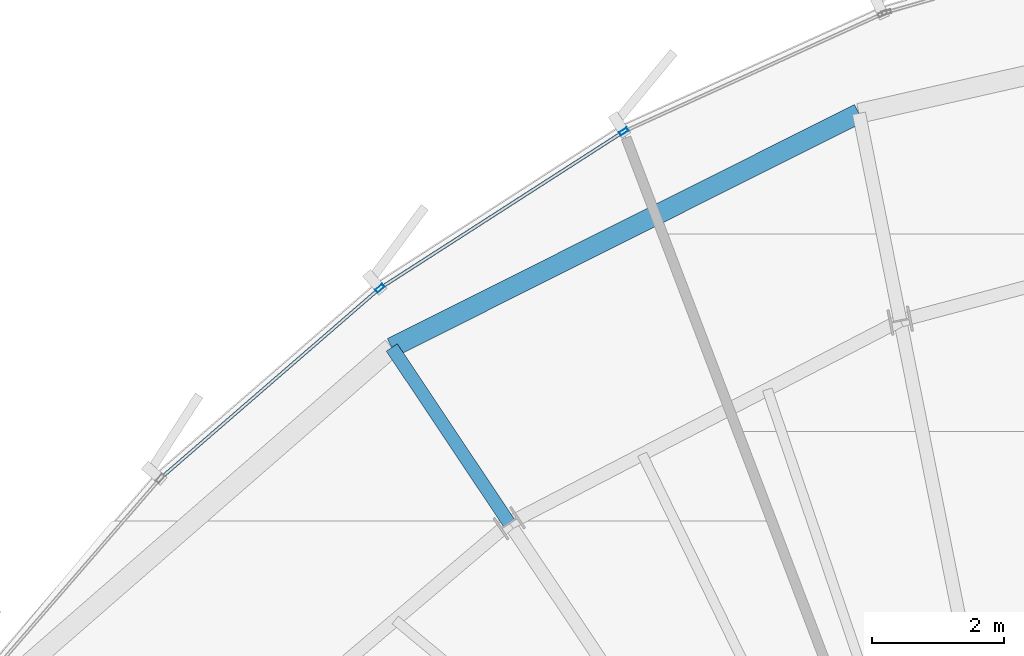
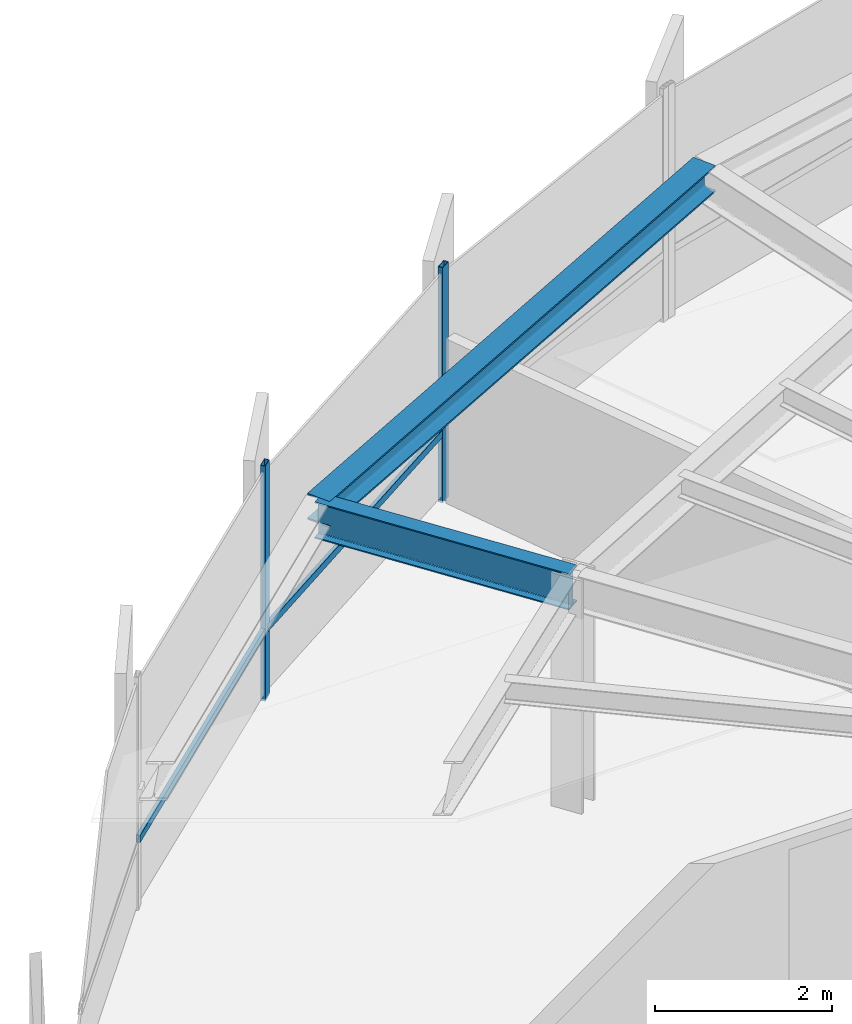
# One storey, part 20 of 34: 4 members, 2 beams, 1 element without a shape of its own.
"""IFC4 building model written with IfcOpenShell, lengths in metres."""

from ifc_helpers import new_model, si_unit, direction, frame, origin, origin_2d, place, context, subcontext, project, spatial, hollow_rectangle, i_section, extrude, source, transform, mapped, material, layer, layer_set, material_profile, profile_set, type_object, element, aggregate, save


model = new_model("IFC4")

# Units and contexts
model_context = context("Model", 3, precision=1e-05, world=origin(), true_north=direction((0.0, 1.0)))
body_context = subcontext(model_context, "Body", "Model", "MODEL_VIEW")
ifc_project = project(units=[si_unit("LENGTHUNIT", "METRE"), si_unit("AREAUNIT", "SQUARE_METRE"), si_unit("VOLUMEUNIT", "CUBIC_METRE"), si_unit("PLANEANGLEUNIT", "RADIAN"), si_unit("MASSUNIT", "GRAM", prefix="KILO"), si_unit("THERMODYNAMICTEMPERATUREUNIT", "KELVIN")], contexts=[model_context])

# Site, building, storey
site_placement = place(None, origin())
site = spatial("IfcSite", under=ifc_project, at=site_placement, CompositionType="ELEMENT")
building_placement = place(site_placement, origin())
building = spatial("IfcBuilding", under=site, at=building_placement, Name="Kethvar Cultural Tower", CompositionType="ELEMENT")
storey_placement = place(building_placement, frame((0.0, 0.0, 214.89990234375)))
storey = spatial("IfcBuildingStorey", under=building, at=storey_placement, Name="L56", CompositionType="ELEMENT", Elevation=214.89990234375)

# Beams
ifc_material_1 = material(Name="Steel S355J2", Category="steel")
ifc_material_profile_1 = material_profile(ifc_material_1, i_section(OverallWidth=0.199951171875, OverallDepth=0.5, WebThickness=0.01025390625, FlangeThickness=0.01611328125, FilletRadius=0.02099609375, at=origin_2d()), Name="Steel S355J2 — IPE500")
ifc_profile_set_1 = profile_set([ifc_material_profile_1], Name="Steel S355J2 — IPE500")
beam_type_1 = type_object("IfcBeamType", Name="BM-IPE500", PredefinedType="BEAM", material=ifc_profile_set_1)
shared_shape_1 = source(origin(), body_context, "Body", "SweptSolid", [
    extrude(i_section(OverallWidth=0.199951171875, OverallDepth=0.5, WebThickness=0.01025390625, FlangeThickness=0.01611328125, FilletRadius=0.02099609375, at=origin_2d()), origin(), (0.0, 0.0, 1.0), 3.199951171875),
])
beam_1_placement = place(storey_placement, frame((37.498779296875, 41.720458984375, 2.988037109375), z_axis=(-0.555580212716, 0.831462943996, 0.0), x_axis=(-0.831462943996, -0.555580212716, 0.0)))
element("IfcBeam", 1, at=beam_1_placement, inside=storey, type_object=beam_type_1, Name="L56 Perimeter Cantilever Beam RC-06", PredefinedType="BEAM", context=body_context, shape_type="MappedRepresentation", body=[
    mapped(shared_shape_1, transform((0.0, 0.0, 0.0), scale=1.0)),
])
ifc_material_profile_2 = material_profile(ifc_material_1, i_section(OverallWidth=0.300048828125, OverallDepth=0.360107421875, WebThickness=0.012451171875, FlangeThickness=0.0224609375, FilletRadius=0.027099609375, at=origin_2d()), Name="Steel S355J2 — HEB360")
ifc_profile_set_2 = profile_set([ifc_material_profile_2], Name="Steel S355J2 — HEB360")
beam_type_2 = type_object("IfcBeamType", Name="BM-SP360", PredefinedType="SPANDREL", material=ifc_profile_set_2)
shared_shape_2 = source(origin(), body_context, "Body", "SweptSolid", [
    extrude(i_section(OverallWidth=0.300048828125, OverallDepth=0.360107421875, WebThickness=0.012451171875, FlangeThickness=0.0224609375, FilletRadius=0.027099609375, at=origin_2d()), origin(), (0.0, 0.0, 1.0), 7.91455078125),
])
beam_2_placement = place(storey_placement, frame((42.79638671875, 47.927734375, 3.05810546875), z_axis=(-0.893976371529, -0.44811410059, 0.0), x_axis=(0.44811410059, -0.893976371529, 0.0)))
element("IfcBeam", 2, at=beam_2_placement, inside=storey, type_object=beam_type_2, Name="L56 Perimeter Spandrel Beam SP-05", PredefinedType="SPANDREL", context=body_context, shape_type="MappedRepresentation", body=[
    mapped(shared_shape_2, transform((0.0, 0.0, 0.0), scale=1.0)),
])

# Curtain wall, members
ifc_material_2 = material(Name="Aluminium 6063-T6", Category="aluminium")
ifc_layer = layer(ifc_material_2, 0.179931640625, Name="Aluminium 6063-T6", Category="aluminium")
ifc_layer_set = layer_set([ifc_layer], Name="Aluminium 6063-T6 (180 mm)")
curtain_wall_type = type_object("IfcCurtainWallType", Name="CW-SYS-04-Z34", PredefinedType="NOTDEFINED", material=ifc_layer_set)
curtain_wall_placement = place(storey_placement, origin())
curtain_wall = element("IfcCurtainWall", 3, at=curtain_wall_placement, inside=storey, type_object=curtain_wall_type, Name="L56 Curtain Wall Run 02", PredefinedType="NOTDEFINED")
ifc_material_profile_3 = material_profile(ifc_material_2, hollow_rectangle(XDim=0.06005859375, YDim=0.139892578125, WallThickness=0.0048828125, at=origin_2d()), Name="Aluminium 6063-T6 — RHS140x60x5")
ifc_profile_set_3 = profile_set([ifc_material_profile_3], Name="Aluminium 6063-T6 — RHS140x60x5")
member_type_1 = type_object("IfcMemberType", Name="CW-SYS-04-Z34-MUL", PredefinedType="MULLION", material=ifc_profile_set_3)
shared_shape_3 = source(origin(), body_context, "Body", "SweptSolid", [
    extrude(hollow_rectangle(XDim=0.06005859375, YDim=0.139892578125, WallThickness=0.0048828125, at=origin_2d()), origin(), (0.0, 0.0, 1.0), 3.239990234375),
])
member_1_placement = place(storey_placement, frame((39.2333984375, 47.651611328125, 0.0), z_axis=(0.0, 0.0, 1.0), x_axis=(0.540768950622, -0.841171172856, 0.0)))
member_1 = element("IfcMember", 4, at=member_1_placement, type_object=member_type_1, Name="CW-L56-R02 Mullion 2", PredefinedType="MULLION", context=body_context, shape_type="MappedRepresentation", body=[
    mapped(shared_shape_3, transform((0.0, 0.0, 0.0), scale=1.0)),
])
member_2_placement = place(storey_placement, frame((35.53955078125, 45.2783203125, 0.0), z_axis=(0.0, 0.0, 1.0), x_axis=(0.654846344388, -0.755762042736, 0.0)))
member_2 = element("IfcMember", 5, at=member_2_placement, type_object=member_type_1, Name="CW-L56-R02 Mullion 3", PredefinedType="MULLION", context=body_context, shape_type="MappedRepresentation", body=[
    mapped(shared_shape_3, transform((0.0, 0.0, 0.0), scale=1.0)),
])
ifc_material_profile_4 = material_profile(ifc_material_2, hollow_rectangle(XDim=0.050048828125, YDim=0.10009765625, WallThickness=0.00390625, at=origin_2d()), Name="Aluminium 6063-T6 — RHS100x50x4")
ifc_profile_set_4 = profile_set([ifc_material_profile_4], Name="Aluminium 6063-T6 — RHS100x50x4")
member_type_2 = type_object("IfcMemberType", Name="CW-SYS-04-Z34-TRN", PredefinedType="USERDEFINED", material=ifc_profile_set_4)
shared_shape_4 = source(origin(), body_context, "Body", "SweptSolid", [
    extrude(hollow_rectangle(XDim=0.050048828125, YDim=0.10009765625, WallThickness=0.00390625, at=origin_2d()), origin(), (0.0, 0.0, 1.0), 4.31982421875),
])
member_3_placement = place(storey_placement, frame((39.197021484375, 47.62841796875, 0.9501953125), z_axis=(-0.841143584025, -0.5408118629, 0.0), x_axis=(0.5408118629, -0.841143584025, 0.0)))
member_3 = element("IfcMember", 6, at=member_3_placement, type_object=member_type_2, Name="CW-L56-R02 Transom 2", ObjectType="TRANSOM", PredefinedType="USERDEFINED", context=body_context, shape_type="MappedRepresentation", body=[
    mapped(shared_shape_4, transform((0.0, 0.0, 0.0), scale=1.0)),
])
shared_shape_5 = source(origin(), body_context, "Body", "SweptSolid", [
    extrude(hollow_rectangle(XDim=0.050048828125, YDim=0.10009765625, WallThickness=0.00390625, at=origin_2d()), origin(), (0.0, 0.0, 1.0), 4.329345703125),
])
member_4_placement = place(storey_placement, frame((35.507080078125, 45.25, 0.9501953125), z_axis=(-0.755746758565, -0.654863983526, 0.0), x_axis=(0.654863983526, -0.755746758565, 0.0)))
member_4 = element("IfcMember", 7, at=member_4_placement, type_object=member_type_2, Name="CW-L56-R02 Transom 3", ObjectType="TRANSOM", PredefinedType="USERDEFINED", context=body_context, shape_type="MappedRepresentation", body=[
    mapped(shared_shape_5, transform((0.0, 0.0, 0.0), scale=1.0)),
])
aggregate(curtain_wall, [member_1, member_2, member_3, member_4])

save(model, "model.ifc")
